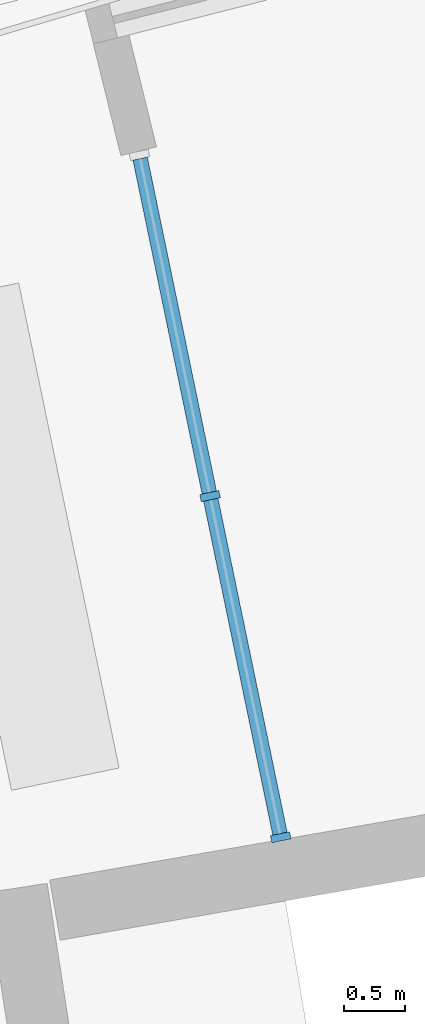
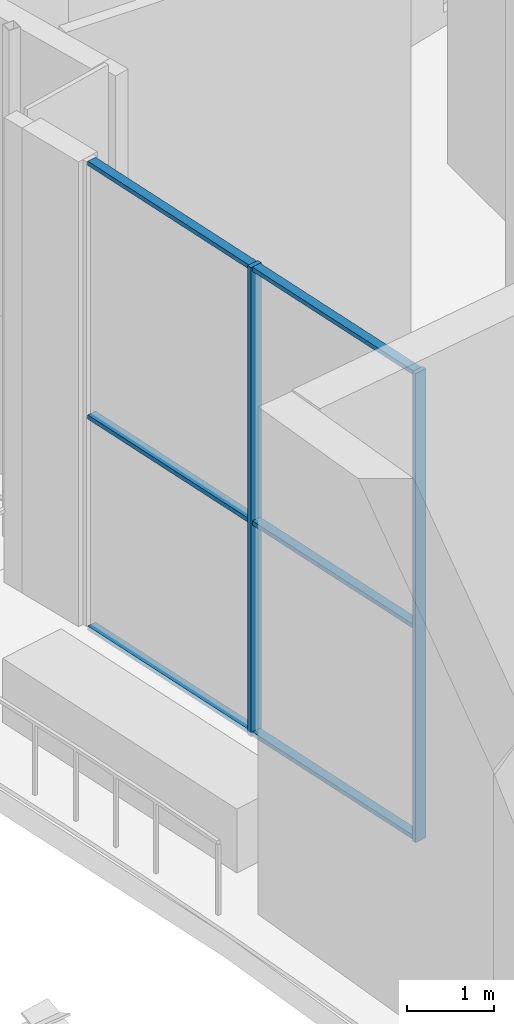
# One storey, part 8 of 25: 8 members, 1 element without a shape of its own.
"""IFC4 building model written with IfcOpenShell, lengths in metres."""

from ifc_helpers import new_model, si_unit, direction, frame, origin, origin_2d, place, context, subcontext, project, spatial, rectangle, extrude, material, layer, layer_set, material_profile, profile_set, type_object, element, aggregate, save


model = new_model("IFC4")

# Units and contexts
model_context = context("Model", 3, precision=1e-05, world=origin(), true_north=direction((0.0, 1.0)))
body_context = subcontext(model_context, "Body", "Model", "MODEL_VIEW")
ifc_project = project(units=[si_unit("LENGTHUNIT", "METRE"), si_unit("AREAUNIT", "SQUARE_METRE"), si_unit("VOLUMEUNIT", "CUBIC_METRE"), si_unit("PLANEANGLEUNIT", "RADIAN"), si_unit("MASSUNIT", "GRAM", prefix="KILO")], contexts=[model_context])

# Site, building, storey
site_placement = place(None, origin())
site = spatial("IfcSite", under=ifc_project, at=site_placement, CompositionType="ELEMENT")
building_placement = place(site_placement, origin())
building = spatial("IfcBuilding", under=site, at=building_placement, Name="Alderwake Tower", CompositionType="ELEMENT")
storey_placement = place(building_placement, frame((0.0, 0.0, 288.800048828125)))
storey = spatial("IfcBuildingStorey", under=building, at=storey_placement, Name="L72", CompositionType="ELEMENT", Elevation=288.800048828125)

# Curtain wall, members
ifc_material_1 = material(Name="Bronze tinted glass in aluminium frame", Category="aluminium")
ifc_layer = layer(ifc_material_1, 0.199951171875)
ifc_layer_set = layer_set([ifc_layer], Name="Curtain wall CW3 sky garden glazing")
curtain_wall_type = type_object("IfcCurtainWallType", Name="Curtain wall CW3 sky garden glazing", PredefinedType="NOTDEFINED", material=ifc_layer_set)
curtain_wall_placement = place(storey_placement, origin())
curtain_wall = element("IfcCurtainWall", 1, at=curtain_wall_placement, inside=storey, type_object=curtain_wall_type, Name="Curtain wall 1", PredefinedType="NOTDEFINED")
ifc_material_2 = material(Name="Aluminium bronze anodised", Category="aluminium")
ifc_material_profile_1 = material_profile(ifc_material_2, rectangle(XDim=0.159912109375, YDim=0.06005859375, at=origin_2d()), Name="Mullion MUC 60x160")
ifc_profile_set_1 = profile_set([ifc_material_profile_1], Name="Aluminium bronze anodised")
member_type_1 = type_object("IfcMemberType", Name="Mullion MUC 60x160", PredefinedType="MULLION", material=ifc_profile_set_1)
member_1_placement = place(storey_placement, frame((16.853515625, 81.054443359375, 0.0), z_axis=(0.0, 0.0, 1.0), x_axis=(0.979229561571, 0.202754693524, 0.0)))
member_1 = element("IfcMember", 2, at=member_1_placement, type_object=member_type_1, Name="CW.01 mullion 2", PredefinedType="MULLION", context=body_context, shape_type="SweptSolid", body=[
    extrude(rectangle(XDim=0.159912109375, YDim=0.06005859375, at=origin_2d()), origin(), (0.0, 0.0, 1.0), 6.599853515625),
])
member_2_placement = place(storey_placement, frame((17.43212890625, 78.260498046875, 0.0), z_axis=(0.0, 0.0, 1.0), x_axis=(0.979229561571, 0.202754693524, 0.0)))
member_2 = element("IfcMember", 3, at=member_2_placement, type_object=member_type_1, Name="CW.01 mullion 3", PredefinedType="MULLION", context=body_context, shape_type="SweptSolid", body=[
    extrude(rectangle(XDim=0.159912109375, YDim=0.06005859375, at=origin_2d()), origin(), (0.0, 0.0, 1.0), 6.599853515625),
])
ifc_material_3 = material(Name="Aluminium bronze anodised", Category="aluminium")
ifc_material_profile_2 = material_profile(ifc_material_3, rectangle(XDim=0.1201171875, YDim=0.06005859375, at=origin_2d()), Name="Transom TRC 60x120")
ifc_profile_set_2 = profile_set([ifc_material_profile_2], Name="Aluminium bronze anodised")
member_type_2 = type_object("IfcMemberType", Name="Transom TRC 60x120", PredefinedType="USERDEFINED", material=ifc_profile_set_2)
member_3_placement = place(storey_placement, frame((16.281005859375, 83.819091796875, 0.030029296875), z_axis=(0.202784800439, -0.979223327291, 0.0), x_axis=(0.979223327291, 0.202784800439, 0.0)))
member_3 = element("IfcMember", 4, at=member_3_placement, type_object=member_type_2, Name="CW.01 transom 1.1", ObjectType="TRANSOM", PredefinedType="USERDEFINED", context=body_context, shape_type="SweptSolid", body=[
    extrude(rectangle(XDim=0.1201171875, YDim=0.06005859375, at=origin_2d()), origin(), (0.0, 0.0, 1.0), 2.793212890625),
])
member_4_placement = place(storey_placement, frame((16.281005859375, 83.819091796875, 3.0), z_axis=(0.202784800439, -0.979223327291, 0.0), x_axis=(0.979223327291, 0.202784800439, 0.0)))
member_4 = element("IfcMember", 5, at=member_4_placement, type_object=member_type_2, Name="CW.01 transom 1.2", ObjectType="TRANSOM", PredefinedType="USERDEFINED", context=body_context, shape_type="SweptSolid", body=[
    extrude(rectangle(XDim=0.1201171875, YDim=0.06005859375, at=origin_2d()), origin(), (0.0, 0.0, 1.0), 2.793212890625),
])
member_5_placement = place(storey_placement, frame((16.281005859375, 83.819091796875, 6.570068359375), z_axis=(0.202784800439, -0.979223327291, 0.0), x_axis=(0.979223327291, 0.202784800439, 0.0)))
member_5 = element("IfcMember", 6, at=member_5_placement, type_object=member_type_2, Name="CW.01 transom 1.3", ObjectType="TRANSOM", PredefinedType="USERDEFINED", context=body_context, shape_type="SweptSolid", body=[
    extrude(rectangle(XDim=0.1201171875, YDim=0.06005859375, at=origin_2d()), origin(), (0.0, 0.0, 1.0), 2.793212890625),
])
member_6_placement = place(storey_placement, frame((16.859619140625, 81.025146484375, 0.030029296875), z_axis=(0.202767445296, -0.979226921162, 0.0), x_axis=(0.979226921162, 0.202767445296, 0.0)))
member_6 = element("IfcMember", 7, at=member_6_placement, type_object=member_type_2, Name="CW.01 transom 2.1", ObjectType="TRANSOM", PredefinedType="USERDEFINED", context=body_context, shape_type="SweptSolid", body=[
    extrude(rectangle(XDim=0.1201171875, YDim=0.06005859375, at=origin_2d()), origin(), (0.0, 0.0, 1.0), 2.79345703125),
])
member_7_placement = place(storey_placement, frame((16.859619140625, 81.025146484375, 3.0), z_axis=(0.202767445296, -0.979226921162, 0.0), x_axis=(0.979226921162, 0.202767445296, 0.0)))
member_7 = element("IfcMember", 8, at=member_7_placement, type_object=member_type_2, Name="CW.01 transom 2.2", ObjectType="TRANSOM", PredefinedType="USERDEFINED", context=body_context, shape_type="SweptSolid", body=[
    extrude(rectangle(XDim=0.1201171875, YDim=0.06005859375, at=origin_2d()), origin(), (0.0, 0.0, 1.0), 2.79345703125),
])
member_8_placement = place(storey_placement, frame((16.859619140625, 81.025146484375, 6.570068359375), z_axis=(0.202767445296, -0.979226921162, 0.0), x_axis=(0.979226921162, 0.202767445296, 0.0)))
member_8 = element("IfcMember", 9, at=member_8_placement, type_object=member_type_2, Name="CW.01 transom 2.3", ObjectType="TRANSOM", PredefinedType="USERDEFINED", context=body_context, shape_type="SweptSolid", body=[
    extrude(rectangle(XDim=0.1201171875, YDim=0.06005859375, at=origin_2d()), origin(), (0.0, 0.0, 1.0), 2.79345703125),
])
aggregate(curtain_wall, [member_1, member_2, member_3, member_4, member_5, member_6, member_7, member_8])

save(model, "model.ifc")
